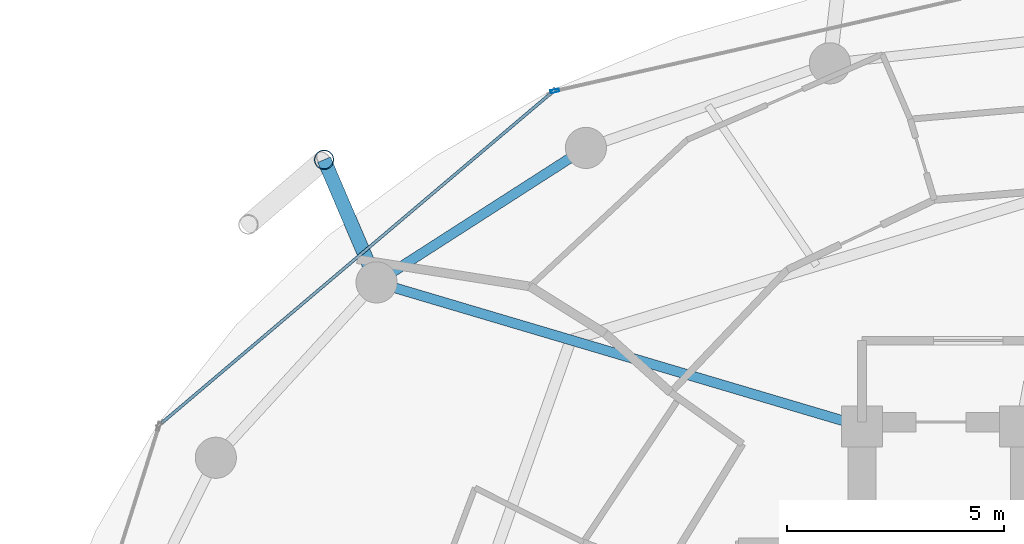
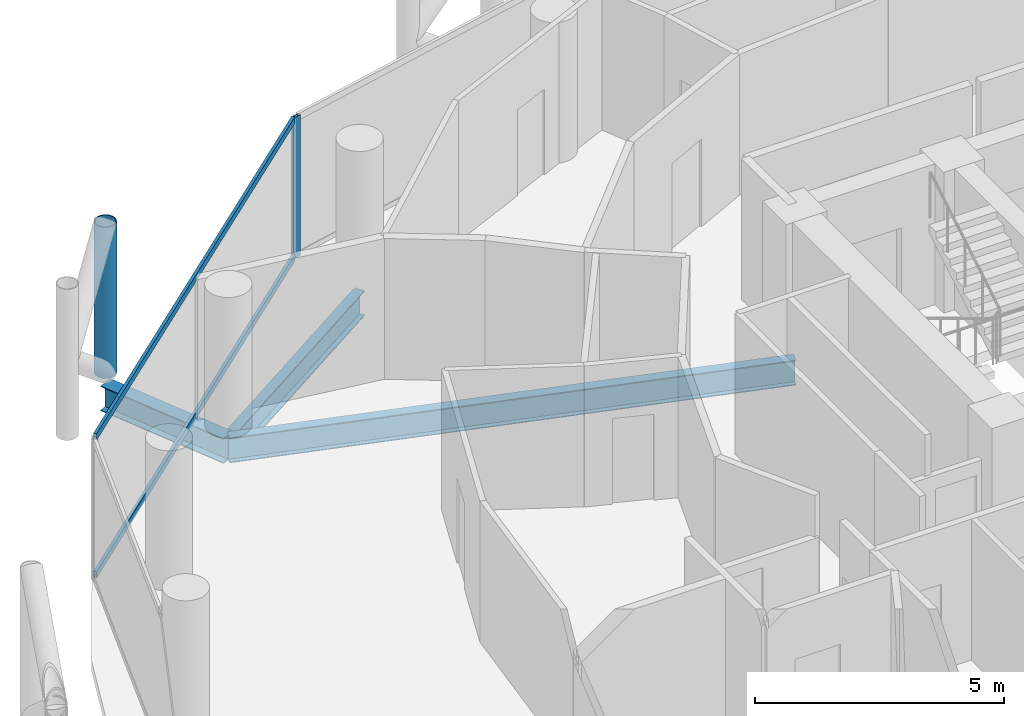
# One storey, part 14 of 26: 4 members, 3 beams, 2 elements without a shape of their own.
"""IFC4 building model written with IfcOpenShell, lengths in metres."""

import ifcopenshell
import ifcopenshell.guid

model = None  # the IFC model being written
_history = None  # IfcOwnerHistory: only IFC2X3 demands one
_inside = {}  # id of a spatial element -> (the spatial element, [elements in it])
_under = {}  # id of a project, library or spatial element -> (it, [spatial elements below it])
_declared = {}  # id of a project -> (the project, [libraries it declares])
_typed = {}  # id of a type object -> (the type object, [elements of that type])
_made_of = {}  # id of a material, layer set ... -> (it, [elements and type objects made of it])


def new_model(schema):
    """Start an empty IFC model of exactly this schema.

    Asked for "IFC4X3", IfcOpenShell would pick the latest addendum, in which some entities
    have other attributes; the version numbers below select the first issue.
    IFC2X3 requires an IfcOwnerHistory on every rooted entity: one is made here for all.
    """
    global model, _history
    if schema == "IFC4X3":
        model = ifcopenshell.file(schema_version=(4, 3, 0, 0))
    else:
        model = ifcopenshell.file(schema=schema)
    _inside.clear()
    _under.clear()
    _declared.clear()
    _typed.clear()
    _made_of.clear()
    _history = None
    if model.schema == "IFC2X3":
        org = make("IfcOrganization", Name="unknown")
        user = make(
            "IfcPersonAndOrganization",
            ThePerson=make("IfcPerson", FamilyName="unknown"),
            TheOrganization=org,
        )
        app = make(
            "IfcApplication",
            ApplicationDeveloper=org,
            Version="unknown",
            ApplicationFullName="unknown",
            ApplicationIdentifier="unknown",
        )
        _history = make(
            "IfcOwnerHistory",
            OwningUser=user,
            OwningApplication=app,
            ChangeAction="ADDED",
            CreationDate=0,
        )
    return model


def make(cls, **values):
    """One entity of the class cls with the attributes given. An attribute that is None is left unset."""
    return model.create_entity(
        cls, **{name: value for name, value in values.items() if value is not None}
    )


def rooted(cls, **values):
    """An entity with a GlobalId (a new one), such as an element, a storey or a relation."""
    return make(cls, GlobalId=ifcopenshell.guid.new(), OwnerHistory=_history, **values)


def si_unit(unit_type, name, prefix=None):
    """IfcSIUnit, for example si_unit("LENGTHUNIT", "METRE", prefix="MILLI")."""
    return make("IfcSIUnit", UnitType=unit_type, Prefix=prefix, Name=name)


def assignment(units):
    """IfcUnitAssignment: the units of a project."""
    return None if units is None else make("IfcUnitAssignment", Units=units)


def point(xyz):
    """IfcCartesianPoint."""
    return None if xyz is None else make("IfcCartesianPoint", Coordinates=xyz)


def direction(xyz):
    """IfcDirection."""
    return None if xyz is None else make("IfcDirection", DirectionRatios=xyz)


def frame(location, z_axis=None, x_axis=None):
    """IfcAxis2Placement3D, a coordinate frame: its origin and axes. An axis left out is left unset."""
    return make(
        "IfcAxis2Placement3D",
        Location=point(location),
        Axis=direction(z_axis),
        RefDirection=direction(x_axis),
    )


def frame_2d(location, x_axis=None):
    """IfcAxis2Placement2D, a coordinate frame in the plane: its origin and x axis."""
    return make(
        "IfcAxis2Placement2D", Location=point(location), RefDirection=direction(x_axis)
    )


def origin():
    """The frame at (0, 0, 0) with its axes left unset."""
    return frame((0.0, 0.0, 0.0))


def origin_2d():
    """The frame at (0, 0) in the plane with its x axis left unset."""
    return frame_2d((0.0, 0.0))


def place(relative_to, where):
    """IfcLocalPlacement: puts the frame where relative to a parent placement (None: the world)."""
    return make(
        "IfcLocalPlacement", PlacementRelTo=relative_to, RelativePlacement=where
    )


def context(
    kind, dimensions, precision=None, world=None, true_north=None, identifier=None
):
    """IfcGeometricRepresentationContext, for example the 3D "Model" context."""
    return make(
        "IfcGeometricRepresentationContext",
        ContextIdentifier=identifier,
        ContextType=kind,
        CoordinateSpaceDimension=dimensions,
        Precision=precision,
        WorldCoordinateSystem=world,
        TrueNorth=true_north,
    )


def subcontext(parent, identifier, kind, view, scale=None):
    """IfcGeometricRepresentationSubContext, for example "Body" below "Model"."""
    return make(
        "IfcGeometricRepresentationSubContext",
        ContextIdentifier=identifier,
        ContextType=kind,
        ParentContext=parent,
        TargetScale=scale,
        TargetView=view,
    )


def project(units=None, contexts=None):
    """IfcProject with its units and contexts."""
    return rooted(
        "IfcProject",
        Name="project",
        RepresentationContexts=contexts,
        UnitsInContext=assignment(units),
    )


def spatial(cls, under=None, at=None, **own):
    """A site, building, storey or space (cls), placed at a placement, below another one or the project."""
    s = rooted(cls, ObjectPlacement=at, **own)
    if under is not None:
        _under.setdefault(under.id(), (under, []))[1].append(s)
    return s


def profile(cls, at=None, kind="AREA", **sizes):
    """A parametric profile (cls). Its sizes go by their IFC names, for example OverallWidth=200.0."""
    return make(cls, ProfileType=kind, Position=at, **sizes)


def hollow_rectangle(**sizes):
    """IfcRectangleHollowProfileDef."""
    return profile("IfcRectangleHollowProfileDef", **sizes)


def hollow_circle(**sizes):
    """IfcCircleHollowProfileDef."""
    return profile("IfcCircleHollowProfileDef", **sizes)


def i_section(**sizes):
    """IfcIShapeProfileDef."""
    return profile("IfcIShapeProfileDef", **sizes)


def extrude(swept, where, along, depth):
    """IfcExtrudedAreaSolid: the profile swept, set in the frame where, extruded along a direction by depth."""
    return make(
        "IfcExtrudedAreaSolid",
        SweptArea=swept,
        Position=where,
        ExtrudedDirection=direction(along),
        Depth=depth,
    )


def shape(context_of_items, identifier, shape_type, items):
    """IfcShapeRepresentation: the items that make up one representation, for example the "Body"."""
    return make(
        "IfcShapeRepresentation",
        ContextOfItems=context_of_items,
        RepresentationIdentifier=identifier,
        RepresentationType=shape_type,
        Items=items,
    )


def material(Name=None, Category=None):
    """IfcMaterial."""
    return make("IfcMaterial", Name=Name, Category=Category)


def layer(
    of_material, thickness, ventilated=None, Name=None, Category=None, Priority=None
):
    """IfcMaterialLayer: one layer of a wall or slab, of a material (None: an air gap)."""
    return make(
        "IfcMaterialLayer",
        Material=of_material,
        LayerThickness=thickness,
        IsVentilated=ventilated,
        Name=Name,
        Category=Category,
        Priority=Priority,
    )


def layer_set(layers, Name=None):
    """IfcMaterialLayerSet."""
    return make("IfcMaterialLayerSet", MaterialLayers=layers, LayerSetName=Name)


def material_profile(
    of_material, cross_section, Name=None, Category=None, Priority=None
):
    """IfcMaterialProfile: a cross section and its material."""
    return make(
        "IfcMaterialProfile",
        Name=Name,
        Material=of_material,
        Profile=cross_section,
        Priority=Priority,
        Category=Category,
    )


def profile_set(profiles, Name=None, composite=None):
    """IfcMaterialProfileSet."""
    return make(
        "IfcMaterialProfileSet",
        Name=Name,
        MaterialProfiles=profiles,
        CompositeProfile=composite,
    )


def made_of(thing, what):
    """Note that an element or type object is made of a material, layer set ...; save() writes the relation."""
    if what is not None:
        _made_of.setdefault(what.id(), (what, []))[1].append(thing)
    return thing


def type_object(cls, material=None, **own):
    """A type object (cls), such as IfcWallType, which elements share."""
    return made_of(rooted(cls, **own), material)


def element(
    cls,
    number,
    at=None,
    inside=None,
    cuts=None,
    type_object=None,
    material=None,
    context=None,
    identifier="Body",
    shape_type=None,
    held_by="IfcProductDefinitionShape",
    body=None,
    shapes=None,
    **own,
):
    """One element of the class cls, such as IfcWall. Its Tag is "e" and its number.

    at: its placement. inside: the storey or other place that contains it. cuts: it is an
    opening in that element (IfcRelVoidsElement). A single representation is given by context,
    identifier, shape_type and body (its items); several are given by shapes. held_by: the class
    of the entity that holds the representations. save() writes the other relations.
    """
    e = rooted(cls, Tag="e%d" % number, ObjectPlacement=at, **own)
    if body is not None:
        shapes = [shape(context, identifier, shape_type, body)]
    if shapes is not None:
        e.Representation = make(held_by, Representations=shapes)
    if inside is not None:
        _inside.setdefault(inside.id(), (inside, []))[1].append(e)
    if cuts is not None:
        rooted(
            "IfcRelVoidsElement", RelatingBuildingElement=cuts, RelatedOpeningElement=e
        )
    if type_object is not None:
        _typed.setdefault(type_object.id(), (type_object, []))[1].append(e)
    return made_of(e, material)


def aggregate(whole, parts):
    """IfcRelAggregates: a whole, such as a stair, and the parts it consists of."""
    return rooted("IfcRelAggregates", RelatingObject=whole, RelatedObjects=parts)


def save(model, path):
    """Write the relations noted so far, then the file.

    IfcRelAggregates (storeys below a building ...), IfcRelContainedInSpatialStructure (elements
    in a storey), IfcRelDefinesByType, IfcRelAssociatesMaterial and IfcRelDeclares: one each for
    every whole, place, type object, material and project.
    """
    for whole, parts in _under.values():
        aggregate(whole, parts)
    for where, things in _inside.values():
        rooted(
            "IfcRelContainedInSpatialStructure",
            RelatedElements=things,
            RelatingStructure=where,
        )
    for kind, things in _typed.values():
        rooted("IfcRelDefinesByType", RelatedObjects=things, RelatingType=kind)
    for what, things in _made_of.values():
        rooted("IfcRelAssociatesMaterial", RelatedObjects=things, RelatingMaterial=what)
    for by, libraries in _declared.values():
        rooted("IfcRelDeclares", RelatingContext=by, RelatedDefinitions=libraries)
    model.write(path)


model = new_model("IFC4")

# Units and contexts
model_context = context("Model", 3, precision=1e-05, world=origin(), true_north=direction((0.0, 1.0)))
body_context = subcontext(model_context, "Body", "Model", "MODEL_VIEW")
ifc_project = project(units=[si_unit("LENGTHUNIT", "METRE"), si_unit("AREAUNIT", "SQUARE_METRE"), si_unit("VOLUMEUNIT", "CUBIC_METRE"), si_unit("PLANEANGLEUNIT", "RADIAN"), si_unit("MASSUNIT", "GRAM", prefix="KILO")], contexts=[model_context])

# Site, building, storey
site_placement = place(None, origin())
site = spatial("IfcSite", under=ifc_project, at=site_placement, CompositionType="ELEMENT")
building_placement = place(site_placement, origin())
building = spatial("IfcBuilding", under=site, at=building_placement, Name="Nuhasar Tower", CompositionType="ELEMENT")
storey_placement = place(building_placement, frame((0.0, 0.0, 140.449951171875)))
storey = spatial("IfcBuildingStorey", under=building, at=storey_placement, Name="L33", CompositionType="ELEMENT", Elevation=140.449951171875)

# Beams
ifc_material_1 = material(Name="Steel S355", Category="steel")
ifc_material_profile_1 = material_profile(ifc_material_1, i_section(OverallWidth=0.22900390625, OverallDepth=0.612060546875, WebThickness=0.011962890625, FlangeThickness=0.01953125, at=origin_2d()), Name="W24X84")
ifc_profile_set_1 = profile_set([ifc_material_profile_1], Name="Steel S355")
beam_type_1 = type_object("IfcBeamType", Name="BM-RAD-W24X84", PredefinedType="BEAM", material=ifc_profile_set_1)
beam_1_placement = place(storey_placement, frame((33.699951171875, 37.300048828125, -0.555908203125), z_axis=(-0.958746492721, 0.284262489076, 0.0), x_axis=(-0.284262489076, -0.958746492721, 0.0)))
element("IfcBeam", 1, at=beam_1_placement, inside=storey, type_object=beam_type_1, Name="L33 Radial Floor Girder 07", PredefinedType="BEAM", context=body_context, shape_type="SweptSolid", body=[
    extrude(i_section(OverallWidth=0.22900390625, OverallDepth=0.612060546875, WebThickness=0.011962890625, FlangeThickness=0.01953125, at=origin_2d()), origin(), (0.0, 0.0, 1.0), 11.693359375),
])
ifc_material_profile_2 = material_profile(ifc_material_1, i_section(OverallWidth=0.22998046875, OverallDepth=0.616943359375, WebThickness=0.01318359375, FlangeThickness=0.022216796875, at=origin_2d()), Name="W24X94")
ifc_profile_set_2 = profile_set([ifc_material_profile_2], Name="Steel S355")
beam_type_2 = type_object("IfcBeamType", Name="BM-RING-W24X94", PredefinedType="SPANDREL", material=ifc_profile_set_2)
beam_2_placement = place(storey_placement, frame((27.324951171875, 43.73095703125, -0.558837890625), z_axis=(-0.841327486207, -0.540525726448, 0.0), x_axis=(0.540525726448, -0.841327486207, 0.0)))
element("IfcBeam", 2, at=beam_2_placement, inside=storey, type_object=beam_type_2, Name="L33 Perimeter Ring Spandrel 09", PredefinedType="SPANDREL", context=body_context, shape_type="SweptSolid", body=[
    extrude(i_section(OverallWidth=0.22998046875, OverallDepth=0.616943359375, WebThickness=0.01318359375, FlangeThickness=0.022216796875, at=origin_2d()), origin(), (0.0, 0.0, 1.0), 5.748046875),
])
ifc_material_profile_3 = material_profile(ifc_material_1, i_section(OverallWidth=0.323974609375, OverallDepth=0.611083984375, WebThickness=0.0126953125, FlangeThickness=0.01904296875, at=origin_2d()), Name="W24X104")
ifc_profile_set_3 = profile_set([ifc_material_profile_3], Name="Steel S355")
beam_type_3 = type_object("IfcBeamType", Name="BM-TIE-W24X104", PredefinedType="BEAM", material=ifc_profile_set_3)
beam_3_placement = place(storey_placement, frame((22.489013671875, 40.6240234375, -0.555908203125), z_axis=(-0.39330721304, 0.919407111225, 0.0), x_axis=(-0.919407111225, -0.39330721304, 0.0)))
element("IfcBeam", 3, at=beam_3_placement, inside=storey, type_object=beam_type_3, Name="L33 Exoskeleton Node Tie Beam 05", PredefinedType="BEAM", context=body_context, shape_type="SweptSolid", body=[
    extrude(i_section(OverallWidth=0.323974609375, OverallDepth=0.611083984375, WebThickness=0.0126953125, FlangeThickness=0.01904296875, at=origin_2d()), origin(), (0.0, 0.0, 1.0), 3.081298828125),
])

# Curtain wall, member
ifc_material_2 = material(Name="Aluminium 6063-T6", Category="aluminium")
ifc_layer = layer(ifc_material_2, 0.199951171875)
ifc_layer_set = layer_set([ifc_layer], Name="Aluminium 6063-T6")
curtain_wall_type = type_object("IfcCurtainWallType", Name="CW-Z2-HTL", PredefinedType="NOTDEFINED", material=ifc_layer_set)
curtain_wall_1_placement = place(storey_placement, origin())
curtain_wall_1 = element("IfcCurtainWall", 4, at=curtain_wall_1_placement, inside=storey, type_object=curtain_wall_type, Name="L33 Unitised Curtain Wall 04", PredefinedType="NOTDEFINED")
ifc_material_profile_4 = material_profile(ifc_material_2, hollow_rectangle(XDim=0.070068359375, YDim=0.199951171875, WallThickness=0.0048828125, at=origin_2d()), Name="CWM-3")
ifc_profile_set_4 = profile_set([ifc_material_profile_4], Name="Aluminium 6063-T6")
member_type_1 = type_object("IfcMemberType", Name="CW-MUL-S3", PredefinedType="MULLION", material=ifc_profile_set_4)
member_1_placement = place(storey_placement, frame((26.604248046875, 45.045654296875, 0.0), z_axis=(0.0, 0.0, 1.0), x_axis=(0.22139729566, -0.975183694221, 0.0)))
member_1 = element("IfcMember", 5, at=member_1_placement, type_object=member_type_1, Name="CW-Z2 mullion 2", PredefinedType="MULLION", context=body_context, shape_type="SweptSolid", body=[
    extrude(hollow_rectangle(XDim=0.070068359375, YDim=0.199951171875, WallThickness=0.0048828125, at=origin_2d()), origin(), (0.0, 0.0, 1.0), 3.449951171875),
])
aggregate(curtain_wall_1, [member_1])

# Curtain wall, members
curtain_wall_2_placement = place(storey_placement, origin())
curtain_wall_2 = element("IfcCurtainWall", 6, at=curtain_wall_2_placement, inside=storey, type_object=curtain_wall_type, Name="L33 Unitised Curtain Wall 05", PredefinedType="NOTDEFINED")
ifc_material_profile_5 = material_profile(ifc_material_2, hollow_rectangle(XDim=0.070068359375, YDim=0.159912109375, WallThickness=0.00439453125, at=origin_2d()), Name="CWT-3")
ifc_profile_set_5 = profile_set([ifc_material_profile_5], Name="Aluminium 6063-T6")
member_type_2 = type_object("IfcMemberType", Name="CW-TRN-S3", PredefinedType="USERDEFINED", material=ifc_profile_set_5)
member_2_placement = place(storey_placement, frame((26.5166015625, 44.99267578125, 0.03515625), z_axis=(-0.763023915269, -0.646370253592, 0.0), x_axis=(0.646370253592, -0.763023915269, 0.0)))
member_2 = element("IfcMember", 7, at=member_2_placement, type_object=member_type_2, Name="CW-Z2 transom 1.1", ObjectType="TRANSOM", PredefinedType="USERDEFINED", context=body_context, shape_type="SweptSolid", body=[
    extrude(hollow_rectangle(XDim=0.070068359375, YDim=0.159912109375, WallThickness=0.00439453125, at=origin_2d()), origin(), (0.0, 0.0, 1.0), 11.784912109375),
])
member_3_placement = place(storey_placement, frame((26.5166015625, 44.99267578125, 3.4150390625), z_axis=(-0.763023915269, -0.646370253592, 0.0), x_axis=(0.646370253592, -0.763023915269, 0.0)))
member_3 = element("IfcMember", 8, at=member_3_placement, type_object=member_type_2, Name="CW-Z2 transom 1.2", ObjectType="TRANSOM", PredefinedType="USERDEFINED", context=body_context, shape_type="SweptSolid", body=[
    extrude(hollow_rectangle(XDim=0.070068359375, YDim=0.159912109375, WallThickness=0.00439453125, at=origin_2d()), origin(), (0.0, 0.0, 1.0), 11.784912109375),
])
aggregate(curtain_wall_2, [member_2, member_3])

# Member
ifc_material_3 = material(Name="Steel S460", Category="steel")
ifc_material_profile_6 = material_profile(ifc_material_3, hollow_circle(Radius=0.228515625, WallThickness=0.022216796875, at=origin_2d()), Name="HSS457X22.2")
ifc_profile_set_6 = profile_set([ifc_material_profile_6], Name="Steel S460")
member_type_3 = type_object("IfcMemberType", Name="EXO-BRONZE-457", PredefinedType="BRACE", material=ifc_profile_set_6)
member_4_placement = place(storey_placement, frame((21.277099609375, 43.45703125, 0.0), z_axis=(0.0, 0.0, 1.0), x_axis=(1.0, 0.0, 0.0)))
element("IfcMember", 9, at=member_4_placement, inside=storey, type_object=member_type_3, Name="L33 Exoskeleton Chord Column EC-05A", PredefinedType="BRACE", context=body_context, shape_type="SweptSolid", body=[
    extrude(hollow_circle(Radius=0.228515625, WallThickness=0.022216796875, at=origin_2d()), origin(), (0.0, 0.0, 1.0), 3.699951171875),
])

save(model, "model.ifc")
